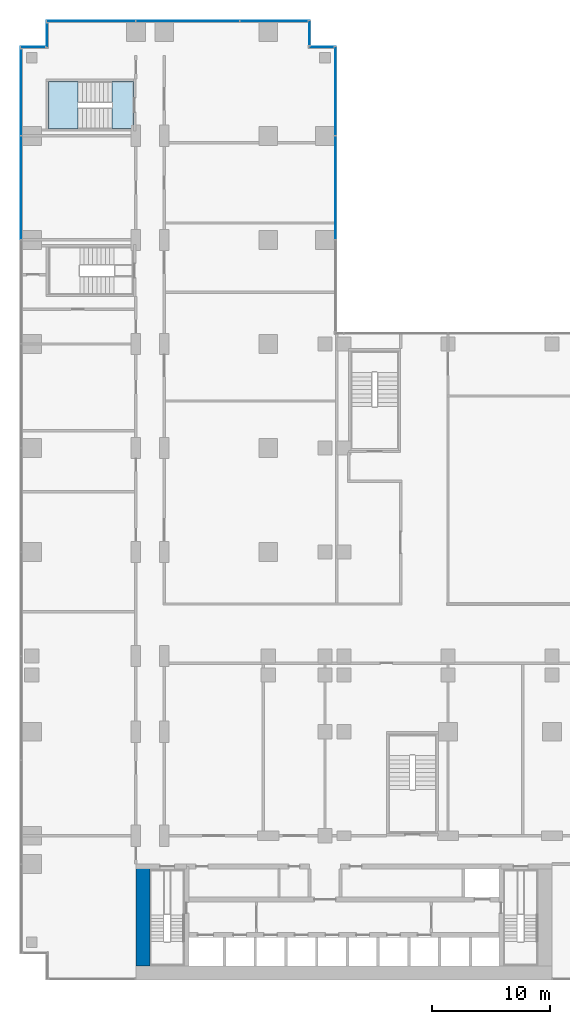
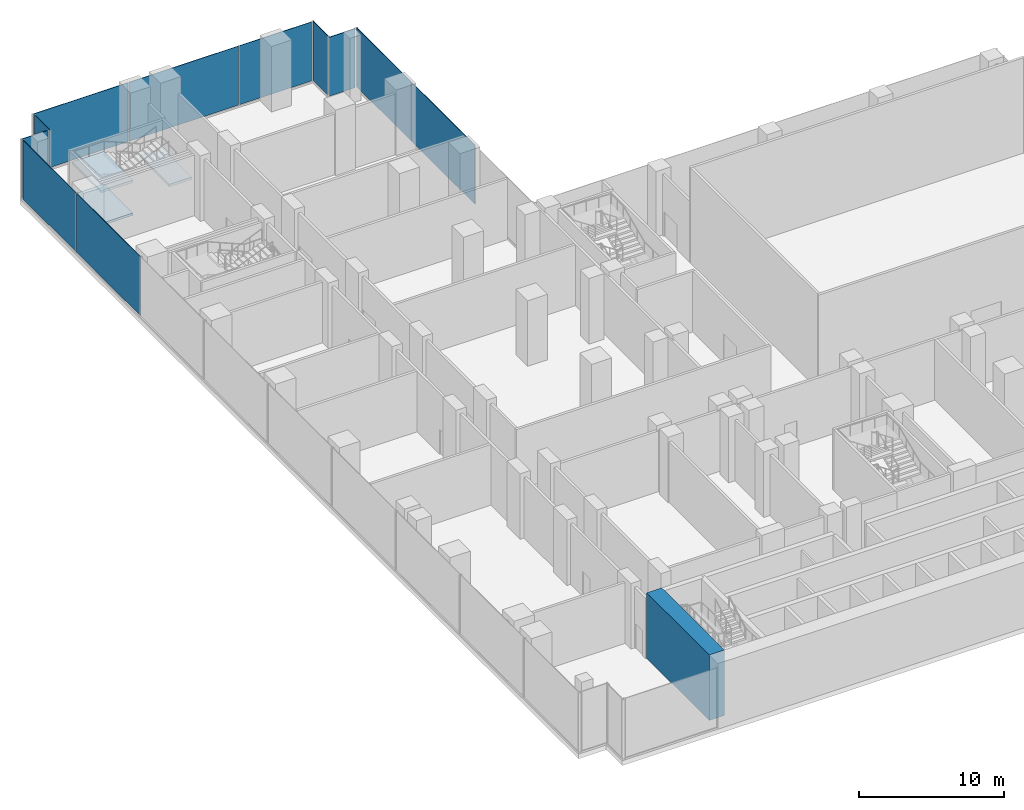
# One storey, part 17 of 30: 11 plates, 3 slabs, 1 wall, 8 elements without a shape of their own.
"""IFC4 building model written with IfcOpenShell, lengths in metres."""

from ifc_helpers import new_model, si_unit, direction, frame, frame_2d, origin, origin_2d, place, context, subcontext, project, spatial, polyline, rectangle, outline, extrude, source, transform, mapped, material, layer, layer_set, type_object, element, aggregate, save


model = new_model("IFC4")

# Units and contexts
model_context = context("Model", 3, precision=1e-05, world=origin(), true_north=direction((0.0, 1.0)))
body_context = subcontext(model_context, "Body", "Model", "MODEL_VIEW")
ifc_project = project(units=[si_unit("LENGTHUNIT", "METRE"), si_unit("AREAUNIT", "SQUARE_METRE"), si_unit("VOLUMEUNIT", "CUBIC_METRE"), si_unit("PLANEANGLEUNIT", "RADIAN"), si_unit("MASSUNIT", "GRAM", prefix="KILO")], contexts=[model_context])

# Site, building, storey
site_placement = place(None, origin())
site = spatial("IfcSite", under=ifc_project, at=site_placement, CompositionType="ELEMENT")
building_placement = place(site_placement, origin())
building = spatial("IfcBuilding", under=site, at=building_placement, Name="Kemantara Hotel Tower", CompositionType="ELEMENT")
storey_placement = place(building_placement, frame((0.0, 0.0, 18.0)))
storey = spatial("IfcBuildingStorey", under=building, at=storey_placement, Name="L03", CompositionType="ELEMENT", Elevation=18.0)

# Stair, slabs
ifc_material_1 = material(Name="Concrete fc 40 MPa", Category="concrete")
stair_type = type_object("IfcStairType", Name="Stair 1800 wide 36 risers of 153 x 360 mm", PredefinedType="HALF_TURN_STAIR", material=ifc_material_1)
stair_placement = place(storey_placement, origin())
stair = element("IfcStair", 1, at=stair_placement, inside=storey, type_object=stair_type, Name="L03 Exit stair ST6", PredefinedType="HALF_TURN_STAIR")
ifc_layer_1 = layer(ifc_material_1, 0.199951171875)
ifc_layer_set_1 = layer_set([ifc_layer_1], Name="Concrete fc 40 MPa")
slab_type = type_object("IfcSlabType", Name="Stair landing 200 mm", PredefinedType="LANDING", material=ifc_layer_set_1)
slab_1_placement = place(storey_placement, frame((0.0, 0.0, 1.175048828125)))
slab_1 = element("IfcSlab", 2, at=slab_1_placement, type_object=slab_type, Name="ST6 landing 1", PredefinedType="LANDING", context=body_context, shape_type="SweptSolid", body=[
    extrude(outline(polyline([(4.919921875, 76.0), (2.39990234375, 76.0), (2.39990234375, 72.0), (4.919921875, 72.0), (4.919921875, 76.0)])), origin(), (0.0, 0.0, 1.0), 0.199951171875),
])
slab_2_placement = place(storey_placement, frame((0.0, 0.0, 2.550048828125)))
slab_2 = element("IfcSlab", 3, at=slab_2_placement, type_object=slab_type, Name="ST6 landing 2", PredefinedType="LANDING", context=body_context, shape_type="SweptSolid", body=[
    extrude(outline(polyline([(9.60009765625, 76.0), (7.800048828125, 76.0), (7.800048828125, 72.0), (9.60009765625, 72.0), (9.60009765625, 76.0)])), origin(), (0.0, 0.0, 1.0), 0.199951171875),
])
slab_3_placement = place(storey_placement, frame((0.0, 0.0, 3.925048828125)))
slab_3 = element("IfcSlab", 4, at=slab_3_placement, type_object=slab_type, Name="ST6 landing 3", PredefinedType="LANDING", context=body_context, shape_type="SweptSolid", body=[
    extrude(outline(polyline([(4.919921875, 76.0), (2.39990234375, 76.0), (2.39990234375, 72.0), (4.919921875, 72.0), (4.919921875, 76.0)])), origin(), (0.0, 0.0, 1.0), 0.199951171875),
])
aggregate(stair, [slab_1, slab_2, slab_3])

# Curtain wall, plate
ifc_material_2 = material(Name="Laminated tinted insulated glass 44 mm", Category="glass")
curtain_wall_type = type_object("IfcCurtainWallType", Name="PODIUM GLASS CURTAIN WALL", PredefinedType="USERDEFINED", material=ifc_material_2)
curtain_wall_1_placement = place(storey_placement, origin())
curtain_wall_1 = element("IfcCurtainWall", 5, at=curtain_wall_1_placement, inside=storey, type_object=curtain_wall_type, Name="CW1 L03 POD-R10-1", ObjectType="PODIUM GLASS CURTAIN WALL", PredefinedType="USERDEFINED")
ifc_layer_2 = layer(ifc_material_2, 0.0439453125)
ifc_layer_set_2 = layer_set([ifc_layer_2], Name="Laminated tinted insulated glass 44 mm")
plate_type = type_object("IfcPlateType", Name="PODIUM GLASS CURTAIN WALL PANEL", PredefinedType="CURTAIN_PANEL", material=ifc_layer_set_2)
shared_shape_1 = source(origin(), body_context, "Body", "SweptSolid", [
    extrude(rectangle(XDim=8.72509765625, YDim=0.0439453125, at=origin_2d()), origin(), (0.0, 0.0, 1.0), 4.949951171875),
])
plate_1_placement = place(storey_placement, frame((26.699951171875, 67.0, 0.14990234375), z_axis=(0.0, 0.0, 1.0), x_axis=(0.0, 1.0, 0.0)))
plate_1 = element("IfcPlate", 6, at=plate_1_placement, type_object=plate_type, Name="CW1 glass panel POD-R10-1.2", PredefinedType="CURTAIN_PANEL", context=body_context, shape_type="MappedRepresentation", body=[
    mapped(shared_shape_1, transform((0.0, 0.0, 0.0))),
])

curtain_wall_2_placement = place(storey_placement, origin())
curtain_wall_2 = element("IfcCurtainWall", 7, at=curtain_wall_2_placement, inside=storey, type_object=curtain_wall_type, Name="CW1 L03 POD-R13-1", ObjectType="PODIUM GLASS CURTAIN WALL", PredefinedType="USERDEFINED")
plate_2_placement = place(storey_placement, frame((14.199951171875, 81.10009765625, 0.14990234375), z_axis=(0.0, 0.0, 1.0), x_axis=(-1.0, 0.0, 0.0)))
plate_2 = element("IfcPlate", 8, at=plate_2_placement, type_object=plate_type, Name="CW1 glass panel POD-R13-1.2", PredefinedType="CURTAIN_PANEL", context=body_context, shape_type="MappedRepresentation", body=[
    mapped(shared_shape_1, transform((0.0, 0.0, 0.0))),
])

curtain_wall_3_placement = place(storey_placement, origin())
curtain_wall_3 = element("IfcCurtainWall", 9, at=curtain_wall_3_placement, inside=storey, type_object=curtain_wall_type, Name="CW1 L03 POD-R16-1", ObjectType="PODIUM GLASS CURTAIN WALL", PredefinedType="USERDEFINED")
plate_3_placement = place(storey_placement, frame((0.10009765625, 67.0, 0.14990234375), z_axis=(0.0, 0.0, 1.0), x_axis=(0.0, -1.0, 0.0)))
plate_3 = element("IfcPlate", 10, at=plate_3_placement, type_object=plate_type, Name="CW1 glass panel POD-R16-1.2", PredefinedType="CURTAIN_PANEL", context=body_context, shape_type="MappedRepresentation", body=[
    mapped(shared_shape_1, transform((0.0, 0.0, 0.0))),
])

# Plate
shared_shape_2 = source(origin(), body_context, "Body", "SweptSolid", [
    extrude(rectangle(XDim=7.487548828125, YDim=0.0439453125, at=origin_2d()), origin(), (0.0, 0.0, 1.0), 4.949951171875),
])
plate_4_placement = place(storey_placement, frame((26.699951171875, 75.18115234375, 0.14990234375), z_axis=(0.0, 0.0, 1.0), x_axis=(0.0, 1.0, 0.0)))
plate_4 = element("IfcPlate", 11, at=plate_4_placement, type_object=plate_type, Name="CW1 glass panel POD-R10-1.3", PredefinedType="CURTAIN_PANEL", context=body_context, shape_type="MappedRepresentation", body=[
    mapped(shared_shape_2, transform((0.0, 0.0, 0.0))),
])

aggregate(curtain_wall_1, [plate_1, plate_4])

plate_5_placement = place(storey_placement, frame((6.018798828125, 81.10009765625, 0.14990234375), z_axis=(0.0, 0.0, 1.0), x_axis=(-1.0, 0.0, 0.0)))
plate_5 = element("IfcPlate", 12, at=plate_5_placement, type_object=plate_type, Name="CW1 glass panel POD-R13-1.3", PredefinedType="CURTAIN_PANEL", context=body_context, shape_type="MappedRepresentation", body=[
    mapped(shared_shape_2, transform((0.0, 0.0, 0.0))),
])

shared_shape_3 = source(origin(), body_context, "Body", "SweptSolid", [
    extrude(rectangle(XDim=7.28759765625, YDim=0.0439453125, at=origin_2d()), origin(), (0.0, 0.0, 1.0), 4.949951171875),
])
plate_6_placement = place(storey_placement, frame((0.10009765625, 75.081298828125, 0.14990234375), z_axis=(0.0, 0.0, 1.0), x_axis=(0.0, -1.0, 0.0)))
plate_6 = element("IfcPlate", 13, at=plate_6_placement, type_object=plate_type, Name="CW1 glass panel POD-R16-1.1", PredefinedType="CURTAIN_PANEL", context=body_context, shape_type="MappedRepresentation", body=[
    mapped(shared_shape_3, transform((0.0, 0.0, 0.0))),
])

aggregate(curtain_wall_3, [plate_6, plate_3])

shared_shape_4 = source(origin(), body_context, "Body", "SweptSolid", [
    extrude(rectangle(XDim=5.6875, YDim=0.0439453125, at=origin_2d()), origin(), (0.0, 0.0, 1.0), 4.949951171875),
])
plate_7_placement = place(storey_placement, frame((21.481201171875, 81.10009765625, 0.14990234375), z_axis=(0.0, 0.0, 1.0), x_axis=(-1.0, 0.0, 0.0)))
plate_7 = element("IfcPlate", 14, at=plate_7_placement, type_object=plate_type, Name="CW1 glass panel POD-R13-1.1", PredefinedType="CURTAIN_PANEL", context=body_context, shape_type="MappedRepresentation", body=[
    mapped(shared_shape_4, transform((0.0, 0.0, 0.0))),
])

aggregate(curtain_wall_2, [plate_7, plate_2, plate_5])

# Curtain wall, plate
curtain_wall_4_placement = place(storey_placement, origin())
curtain_wall_4 = element("IfcCurtainWall", 15, at=curtain_wall_4_placement, inside=storey, type_object=curtain_wall_type, Name="CW1 L03 POD-R11-1", ObjectType="PODIUM GLASS CURTAIN WALL", PredefinedType="USERDEFINED")
shared_shape_5 = source(origin(), body_context, "Body", "SweptSolid", [
    extrude(rectangle(XDim=2.050048828125, YDim=0.0439453125, at=origin_2d()), origin(), (0.0, 0.0, 1.0), 4.949951171875),
])
plate_8_placement = place(storey_placement, frame((25.5, 78.89990234375, 0.14990234375), z_axis=(0.0, 0.0, 1.0), x_axis=(-1.0, 0.0, 0.0)))
plate_8 = element("IfcPlate", 16, at=plate_8_placement, type_object=plate_type, Name="CW1 glass panel POD-R11-1.1", PredefinedType="CURTAIN_PANEL", context=body_context, shape_type="MappedRepresentation", body=[
    mapped(shared_shape_5, transform((0.0, 0.0, 0.0))),
])
aggregate(curtain_wall_4, [plate_8])

curtain_wall_5_placement = place(storey_placement, origin())
curtain_wall_5 = element("IfcCurtainWall", 17, at=curtain_wall_5_placement, inside=storey, type_object=curtain_wall_type, Name="CW1 L03 POD-R12-1", ObjectType="PODIUM GLASS CURTAIN WALL", PredefinedType="USERDEFINED")
plate_9_placement = place(storey_placement, frame((24.5, 80.10009765625, 0.14990234375), z_axis=(0.0, 0.0, 1.0), x_axis=(0.0, 1.0, 0.0)))
plate_9 = element("IfcPlate", 18, at=plate_9_placement, type_object=plate_type, Name="CW1 glass panel POD-R12-1.1", PredefinedType="CURTAIN_PANEL", context=body_context, shape_type="MappedRepresentation", body=[
    mapped(shared_shape_5, transform((0.0, 0.0, 0.0))),
])
aggregate(curtain_wall_5, [plate_9])

curtain_wall_6_placement = place(storey_placement, origin())
curtain_wall_6 = element("IfcCurtainWall", 19, at=curtain_wall_6_placement, inside=storey, type_object=curtain_wall_type, Name="CW1 L03 POD-R14-1", ObjectType="PODIUM GLASS CURTAIN WALL", PredefinedType="USERDEFINED")
plate_10_placement = place(storey_placement, frame((2.300048828125, 79.89990234375, 0.14990234375), z_axis=(0.0, 0.0, 1.0), x_axis=(0.0, -1.0, 0.0)))
plate_10 = element("IfcPlate", 20, at=plate_10_placement, type_object=plate_type, Name="CW1 glass panel POD-R14-1.1", PredefinedType="CURTAIN_PANEL", context=body_context, shape_type="MappedRepresentation", body=[
    mapped(shared_shape_5, transform((0.0, 0.0, 0.0))),
])
aggregate(curtain_wall_6, [plate_10])

curtain_wall_7_placement = place(storey_placement, origin())
curtain_wall_7 = element("IfcCurtainWall", 21, at=curtain_wall_7_placement, inside=storey, type_object=curtain_wall_type, Name="CW1 L03 POD-R15-1", ObjectType="PODIUM GLASS CURTAIN WALL", PredefinedType="USERDEFINED")
plate_11_placement = place(storey_placement, frame((1.10009765625, 78.89990234375, 0.14990234375), z_axis=(0.0, 0.0, 1.0), x_axis=(-1.0, 0.0, 0.0)))
plate_11 = element("IfcPlate", 22, at=plate_11_placement, type_object=plate_type, Name="CW1 glass panel POD-R15-1.1", PredefinedType="CURTAIN_PANEL", context=body_context, shape_type="MappedRepresentation", body=[
    mapped(shared_shape_5, transform((0.0, 0.0, 0.0))),
])
aggregate(curtain_wall_7, [plate_11])

# Wall
ifc_material_3 = material(Name="Concrete fc 70 MPa", Category="concrete")
ifc_layer_3 = layer(ifc_material_3, 1.199951171875)
ifc_layer_set_3 = layer_set([ifc_layer_3], Name="Concrete fc 70 MPa")
wall_type = type_object("IfcWallType", Name="CORE WALL 1200 FC70", PredefinedType="SHEAR", material=ifc_layer_set_3)
wall_placement = place(storey_placement, frame((10.39990234375, 1.199951171875, 0.0), z_axis=(0.0, 0.0, 1.0), x_axis=(0.0, 1.0, 0.0)))
element("IfcWall", 23, at=wall_placement, inside=storey, type_object=wall_type, Name="CORE WALL CW-W", PredefinedType="SHEAR", context=body_context, shape_type="SweptSolid", body=[
    extrude(rectangle(XDim=8.60009765625, YDim=1.199951171875, at=frame_2d((4.300048828125, 0.0))), origin(), (0.0, 0.0, 1.0), 5.5),
])

save(model, "model.ifc")
